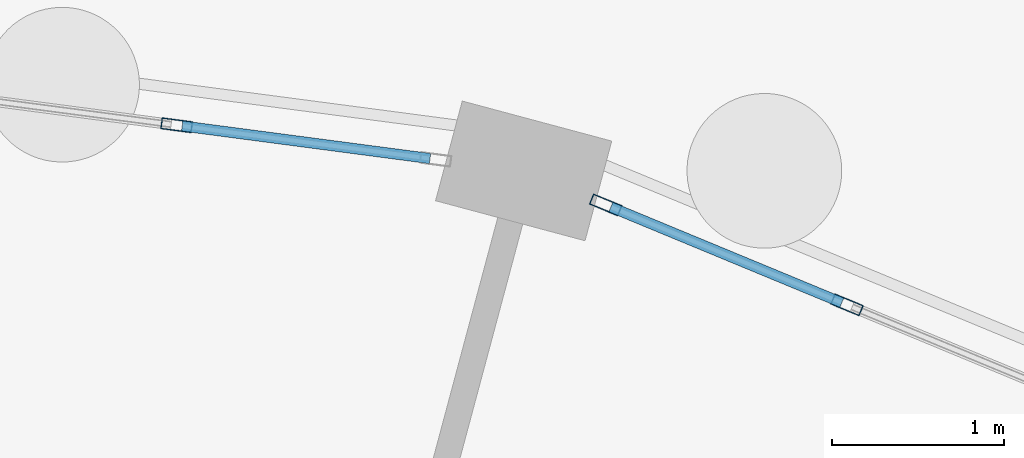
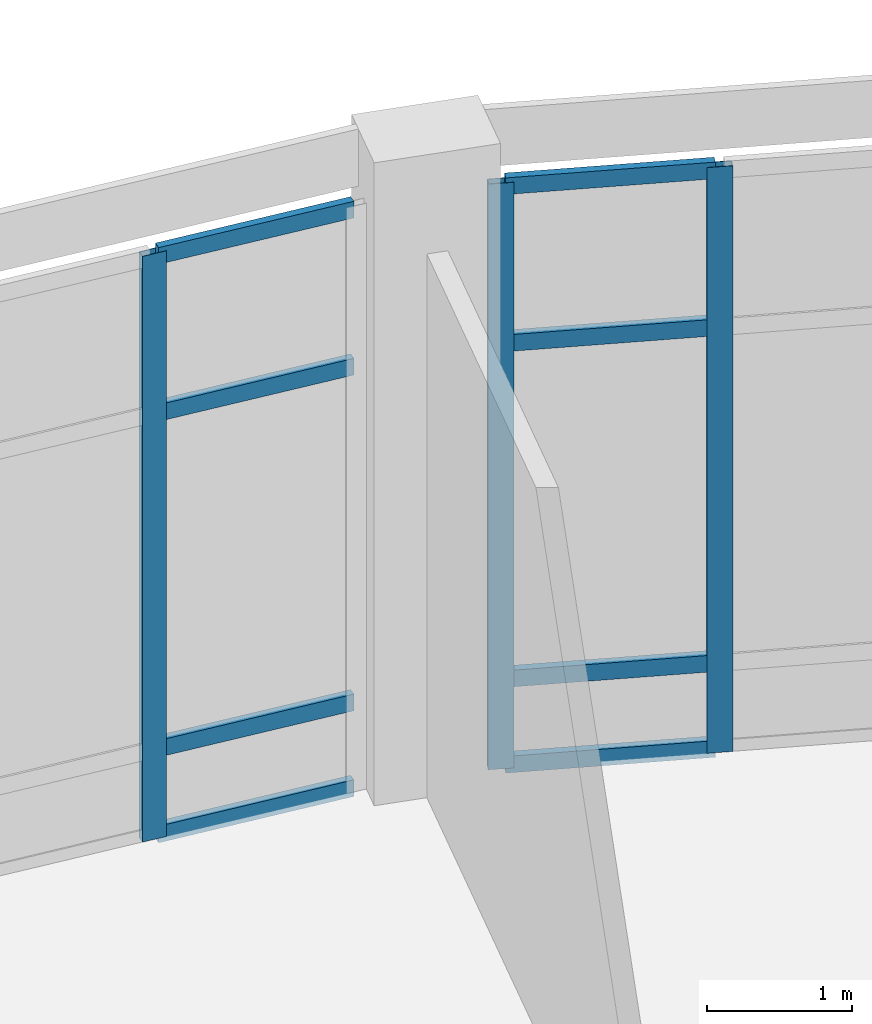
# One storey, part 65 of 137: 11 members, 2 elements without a shape of their own.
"""IFC4 building model written with IfcOpenShell, lengths in metres."""

from ifc_helpers import new_model, si_unit, direction, frame, origin, origin_2d, place, context, subcontext, project, spatial, hollow_rectangle, extrude, material, material_profile, profile_set, type_object, element, aggregate, save


model = new_model("IFC4")

# Units and contexts
model_context = context("Model", 3, precision=1e-05, world=origin(), true_north=direction((0.0, 1.0)))
body_context = subcontext(model_context, "Body", "Model", "MODEL_VIEW")
ifc_project = project(units=[si_unit("LENGTHUNIT", "METRE"), si_unit("AREAUNIT", "SQUARE_METRE"), si_unit("VOLUMEUNIT", "CUBIC_METRE"), si_unit("PLANEANGLEUNIT", "RADIAN"), si_unit("MASSUNIT", "GRAM", prefix="KILO")], contexts=[model_context])

# Site, building, storey
site_placement = place(None, origin())
site = spatial("IfcSite", under=ifc_project, at=site_placement, CompositionType="ELEMENT")
building_placement = place(site_placement, origin())
building = spatial("IfcBuilding", under=site, at=building_placement, Name="Vondelvale Polytechnic", CompositionType="ELEMENT")
storey_placement = place(building_placement, origin())
storey = spatial("IfcBuildingStorey", under=building, at=storey_placement, Name="L00", CompositionType="ELEMENT", Elevation=0.0)

# Curtain wall, members
ifc_material_1 = material(Name="Glulam GL18 structural Tasmanian oak (fb = 42 MPa)", Category="wood")
curtain_wall_type = type_object("IfcCurtainWallType", Name="CW-RING-OUTER", PredefinedType="NOTDEFINED", material=ifc_material_1)
curtain_wall_1_placement = place(storey_placement, origin())
curtain_wall_1 = element("IfcCurtainWall", 1, at=curtain_wall_1_placement, inside=storey, type_object=curtain_wall_type, Name="L00 architectural curtain wall CW-04-114", PredefinedType="NOTDEFINED")
ifc_material_2 = material(Name="Anodised extruded aluminium 6063-T6", Category="aluminium")
ifc_material_profile_1 = material_profile(ifc_material_2, hollow_rectangle(XDim=0.06494140625, YDim=0.179931640625, WallThickness=0.00390625, at=origin_2d()), Name="CW-MUL-180x65")
ifc_profile_set_1 = profile_set([ifc_material_profile_1], Name="Anodised extruded aluminium 6063-T6")
member_type_1 = type_object("IfcMemberType", Name="CW-MUL-65x180", PredefinedType="MULLION", material=ifc_profile_set_1)
member_1_placement = place(storey_placement, frame((115.78662109375, 115.653564453125, 0.0), z_axis=(0.0, 0.0, 1.0), x_axis=(-0.382679040691, -0.92388135159, 0.0)))
member_1 = element("IfcMember", 2, at=member_1_placement, type_object=member_type_1, Name="CW-04-114 mullion 2", PredefinedType="MULLION", context=body_context, shape_type="SweptSolid", body=[
    extrude(hollow_rectangle(XDim=0.06494140625, YDim=0.179931640625, WallThickness=0.00390625, at=origin_2d()), origin(), (0.0, 0.0, 1.0), 4.919921875),
])
member_2_placement = place(storey_placement, frame((114.3828125, 116.23486328125, 0.0), z_axis=(0.0, 0.0, 1.0), x_axis=(-0.382679040691, -0.92388135159, 0.0)))
member_2 = element("IfcMember", 3, at=member_2_placement, type_object=member_type_1, Name="CW-04-114 mullion 3", PredefinedType="MULLION", context=body_context, shape_type="SweptSolid", body=[
    extrude(hollow_rectangle(XDim=0.06494140625, YDim=0.179931640625, WallThickness=0.00390625, at=origin_2d()), origin(), (0.0, 0.0, 1.0), 4.919921875),
])

# Curtain wall, member
curtain_wall_2_placement = place(storey_placement, origin())
curtain_wall_2 = element("IfcCurtainWall", 4, at=curtain_wall_2_placement, inside=storey, type_object=curtain_wall_type, Name="L00 architectural curtain wall CW-04-132", PredefinedType="NOTDEFINED")
member_3_placement = place(storey_placement, frame((111.88720703125, 116.6982421875, 0.0), z_axis=(0.0, 0.0, 1.0), x_axis=(-0.130523690099, -0.991445190781, 0.0)))
member_3 = element("IfcMember", 5, at=member_3_placement, type_object=member_type_1, Name="CW-04-132 mullion 2", PredefinedType="MULLION", context=body_context, shape_type="SweptSolid", body=[
    extrude(hollow_rectangle(XDim=0.06494140625, YDim=0.179931640625, WallThickness=0.00390625, at=origin_2d()), origin(), (0.0, 0.0, 1.0), 4.919921875),
])

# Member
ifc_material_profile_2 = material_profile(ifc_material_2, hollow_rectangle(XDim=0.06005859375, YDim=0.139892578125, WallThickness=0.00341796875, at=origin_2d()), Name="CW-TRN-140x60")
ifc_profile_set_2 = profile_set([ifc_material_profile_2], Name="Anodised extruded aluminium 6063-T6")
member_type_2 = type_object("IfcMemberType", Name="CW-TRN-60x140", PredefinedType="USERDEFINED", material=ifc_profile_set_2)
member_4_placement = place(storey_placement, frame((115.756591796875, 115.666015625, 0.030029296875), z_axis=(-0.923928870591, 0.382564297979, 0.0), x_axis=(-0.382564297979, -0.923928870591, 0.0)))
member_4 = element("IfcMember", 6, at=member_4_placement, type_object=member_type_2, Name="CW-04-114 transom 2.1", ObjectType="TRANSOM", PredefinedType="USERDEFINED", context=body_context, shape_type="SweptSolid", body=[
    extrude(hollow_rectangle(XDim=0.06005859375, YDim=0.139892578125, WallThickness=0.00341796875, at=origin_2d()), origin(), (0.0, 0.0, 1.0), 1.454345703125),
])

member_5_placement = place(storey_placement, frame((115.756591796875, 115.666015625, 0.75), z_axis=(-0.923928870591, 0.382564297979, 0.0), x_axis=(-0.382564297979, -0.923928870591, 0.0)))
member_5 = element("IfcMember", 7, at=member_5_placement, type_object=member_type_2, Name="CW-04-114 transom 2.2", ObjectType="TRANSOM", PredefinedType="USERDEFINED", context=body_context, shape_type="SweptSolid", body=[
    extrude(hollow_rectangle(XDim=0.06005859375, YDim=0.139892578125, WallThickness=0.00341796875, at=origin_2d()), origin(), (0.0, 0.0, 1.0), 1.454345703125),
])

member_6_placement = place(storey_placement, frame((115.756591796875, 115.666015625, 3.570068359375), z_axis=(-0.923928870591, 0.382564297979, 0.0), x_axis=(-0.382564297979, -0.923928870591, 0.0)))
member_6 = element("IfcMember", 8, at=member_6_placement, type_object=member_type_2, Name="CW-04-114 transom 2.3", ObjectType="TRANSOM", PredefinedType="USERDEFINED", context=body_context, shape_type="SweptSolid", body=[
    extrude(hollow_rectangle(XDim=0.06005859375, YDim=0.139892578125, WallThickness=0.00341796875, at=origin_2d()), origin(), (0.0, 0.0, 1.0), 1.454345703125),
])

member_7_placement = place(storey_placement, frame((115.756591796875, 115.666015625, 4.889892578125), z_axis=(-0.923928870591, 0.382564297979, 0.0), x_axis=(-0.382564297979, -0.923928870591, 0.0)))
member_7 = element("IfcMember", 9, at=member_7_placement, type_object=member_type_2, Name="CW-04-114 transom 2.4", ObjectType="TRANSOM", PredefinedType="USERDEFINED", context=body_context, shape_type="SweptSolid", body=[
    extrude(hollow_rectangle(XDim=0.06005859375, YDim=0.139892578125, WallThickness=0.00341796875, at=origin_2d()), origin(), (0.0, 0.0, 1.0), 1.454345703125),
])

aggregate(curtain_wall_1, [member_1, member_2, member_4, member_5, member_6, member_7])

member_8_placement = place(storey_placement, frame((113.361328125, 116.50439453125, 0.030029296875), z_axis=(-0.991456580928, 0.130437142462, 0.0), x_axis=(-0.130437142462, -0.991456580928, 0.0)))
member_8 = element("IfcMember", 10, at=member_8_placement, type_object=member_type_2, Name="CW-04-132 transom 1.1", ObjectType="TRANSOM", PredefinedType="USERDEFINED", context=body_context, shape_type="SweptSolid", body=[
    extrude(hollow_rectangle(XDim=0.06005859375, YDim=0.139892578125, WallThickness=0.00341796875, at=origin_2d()), origin(), (0.0, 0.0, 1.0), 1.454345703125),
])

member_9_placement = place(storey_placement, frame((113.361328125, 116.50439453125, 0.75), z_axis=(-0.991456580928, 0.130437142462, 0.0), x_axis=(-0.130437142462, -0.991456580928, 0.0)))
member_9 = element("IfcMember", 11, at=member_9_placement, type_object=member_type_2, Name="CW-04-132 transom 1.2", ObjectType="TRANSOM", PredefinedType="USERDEFINED", context=body_context, shape_type="SweptSolid", body=[
    extrude(hollow_rectangle(XDim=0.06005859375, YDim=0.139892578125, WallThickness=0.00341796875, at=origin_2d()), origin(), (0.0, 0.0, 1.0), 1.454345703125),
])

member_10_placement = place(storey_placement, frame((113.361328125, 116.50439453125, 3.570068359375), z_axis=(-0.991456580928, 0.130437142462, 0.0), x_axis=(-0.130437142462, -0.991456580928, 0.0)))
member_10 = element("IfcMember", 12, at=member_10_placement, type_object=member_type_2, Name="CW-04-132 transom 1.3", ObjectType="TRANSOM", PredefinedType="USERDEFINED", context=body_context, shape_type="SweptSolid", body=[
    extrude(hollow_rectangle(XDim=0.06005859375, YDim=0.139892578125, WallThickness=0.00341796875, at=origin_2d()), origin(), (0.0, 0.0, 1.0), 1.454345703125),
])

member_11_placement = place(storey_placement, frame((113.361328125, 116.50439453125, 4.889892578125), z_axis=(-0.991456580928, 0.130437142462, 0.0), x_axis=(-0.130437142462, -0.991456580928, 0.0)))
member_11 = element("IfcMember", 13, at=member_11_placement, type_object=member_type_2, Name="CW-04-132 transom 1.4", ObjectType="TRANSOM", PredefinedType="USERDEFINED", context=body_context, shape_type="SweptSolid", body=[
    extrude(hollow_rectangle(XDim=0.06005859375, YDim=0.139892578125, WallThickness=0.00341796875, at=origin_2d()), origin(), (0.0, 0.0, 1.0), 1.454345703125),
])

aggregate(curtain_wall_2, [member_3, member_8, member_9, member_10, member_11])

save(model, "model.ifc")
